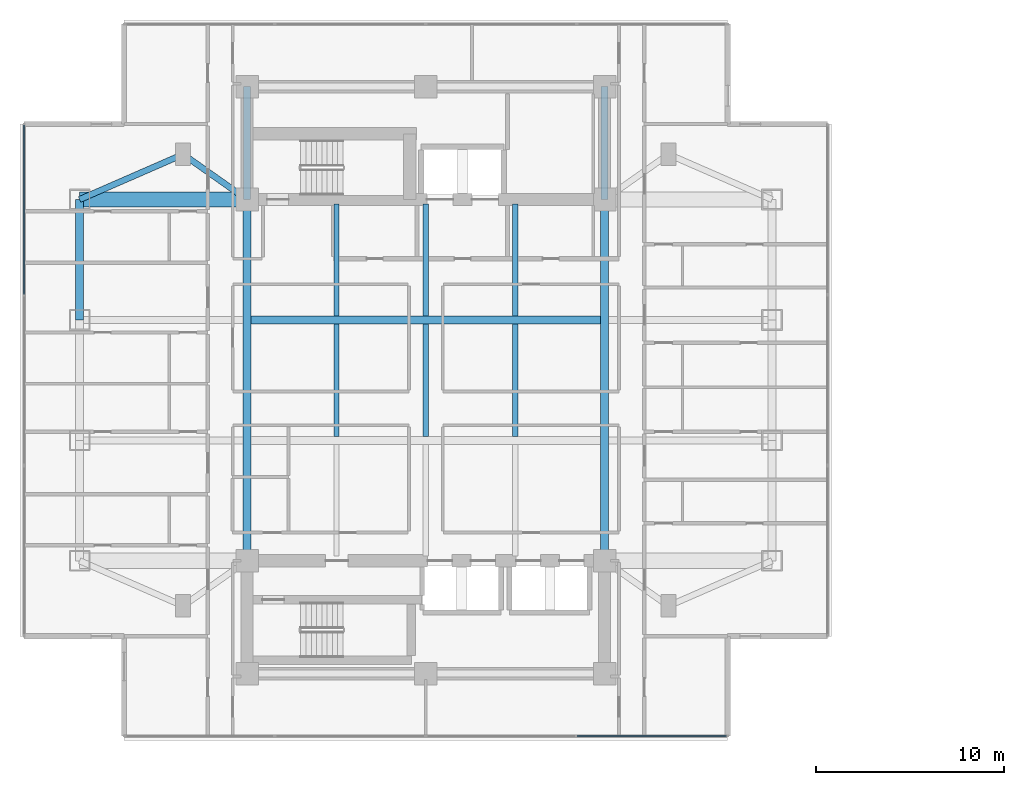
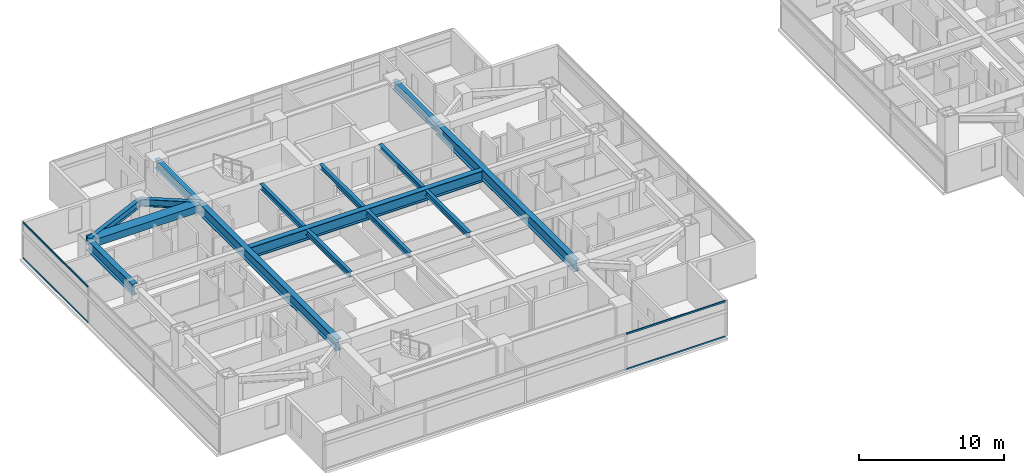
# One storey, part 3 of 24: 15 beams, 4 members, 2 elements without a shape of their own.
"""IFC4 building model written with IfcOpenShell, lengths in metres."""

from ifc_helpers import new_model, si_unit, direction, frame, origin, origin_2d, place, context, subcontext, project, spatial, rectangle, i_section, extrude, material, material_profile, profile_set, type_object, element, aggregate, save


model = new_model("IFC4")

# Units and contexts
model_context = context("Model", 3, precision=1e-05, world=origin(), true_north=direction((0.0, 1.0)))
body_context = subcontext(model_context, "Body", "Model", "MODEL_VIEW")
ifc_project = project(units=[si_unit("LENGTHUNIT", "METRE"), si_unit("AREAUNIT", "SQUARE_METRE"), si_unit("VOLUMEUNIT", "CUBIC_METRE"), si_unit("PLANEANGLEUNIT", "RADIAN"), si_unit("MASSUNIT", "GRAM", prefix="KILO")], contexts=[model_context])

# Site, building, storey
site_placement = place(None, origin())
site = spatial("IfcSite", under=ifc_project, at=site_placement, CompositionType="ELEMENT")
building_placement = place(site_placement, origin())
building = spatial("IfcBuilding", under=site, at=building_placement, Name="Mirazonda Arch Towers", CompositionType="ELEMENT")
storey_placement = place(building_placement, frame((0.0, 0.0, 101.60009765625)))
storey = spatial("IfcBuildingStorey", under=building, at=storey_placement, Name="L28", CompositionType="ELEMENT", Elevation=101.60009765625)

# Beams
ifc_material_1 = material(Name="Steel ASTM A992 Grade 50", Category="steel")
ifc_material_profile_1 = material_profile(ifc_material_1, i_section(OverallWidth=0.41796875, OverallDepth=0.927001953125, WebThickness=0.019287109375, FlangeThickness=0.031982421875, at=origin_2d()), Name="W36X231")
ifc_profile_set_1 = profile_set([ifc_material_profile_1], Name="Steel ASTM A992 Grade 50")
beam_type_1 = type_object("IfcBeamType", Name="BM-EXT-W36X231", PredefinedType="USERDEFINED", material=ifc_profile_set_1)
beam_1_placement = place(storey_placement, frame((2.10009765625, 31.199951171875, 2.616455078125), z_axis=(0.0, 1.0, 0.0), x_axis=(-1.0, 0.0, 0.0)))
element("IfcBeam", 1, at=beam_1_placement, inside=storey, type_object=beam_type_1, Name="L28 Floor Beam BM-T1-L28-NS-W-31", ObjectType="GIRDER", PredefinedType="USERDEFINED", context=body_context, shape_type="SweptSolid", body=[
    extrude(i_section(OverallWidth=0.41796875, OverallDepth=0.927001953125, WebThickness=0.019287109375, FlangeThickness=0.031982421875, at=origin_2d()), origin(), (0.0, 0.0, 1.0), 6.400146484375),
])
ifc_material_profile_2 = material_profile(ifc_material_1, i_section(OverallWidth=0.280029296875, OverallDepth=0.462890625, WebThickness=0.0107421875, FlangeThickness=0.017333984375, at=origin_2d()), Name="W18X76")
ifc_profile_set_2 = profile_set([ifc_material_profile_2], Name="Steel ASTM A992 Grade 50")
beam_type_2 = type_object("IfcBeamType", Name="BM-INT-W18X76", PredefinedType="JOIST", material=ifc_profile_set_2)
beam_2_placement = place(storey_placement, frame((15.75, 31.407470703125, 2.848388671875), z_axis=(0.0, 1.0, 0.0), x_axis=(-1.0, 0.0, 0.0)))
element("IfcBeam", 2, at=beam_2_placement, inside=storey, type_object=beam_type_2, Name="L28 Floor Beam BM-T1-L28-J-157-31", PredefinedType="JOIST", context=body_context, shape_type="SweptSolid", body=[
    extrude(i_section(OverallWidth=0.280029296875, OverallDepth=0.462890625, WebThickness=0.0107421875, FlangeThickness=0.017333984375, at=origin_2d()), origin(), (0.0, 0.0, 1.0), 5.95263671875),
])
beam_3_placement = place(storey_placement, frame((15.75, 25.007568359375, 2.848388671875), z_axis=(0.0, 1.0, 0.0), x_axis=(-1.0, 0.0, 0.0)))
element("IfcBeam", 3, at=beam_3_placement, inside=storey, type_object=beam_type_2, Name="L28 Floor Beam BM-T1-L28-J-157-24", PredefinedType="JOIST", context=body_context, shape_type="SweptSolid", body=[
    extrude(i_section(OverallWidth=0.280029296875, OverallDepth=0.462890625, WebThickness=0.0107421875, FlangeThickness=0.017333984375, at=origin_2d()), origin(), (0.0, 0.0, 1.0), 5.98486328125),
])
beam_4_placement = place(storey_placement, frame((20.5, 31.407470703125, 2.848388671875), z_axis=(0.0, 1.0, 0.0), x_axis=(-1.0, 0.0, 0.0)))
element("IfcBeam", 4, at=beam_4_placement, inside=storey, type_object=beam_type_2, Name="L28 Floor Beam BM-T1-L28-J-205-31", PredefinedType="JOIST", context=body_context, shape_type="SweptSolid", body=[
    extrude(i_section(OverallWidth=0.280029296875, OverallDepth=0.462890625, WebThickness=0.0107421875, FlangeThickness=0.017333984375, at=origin_2d()), origin(), (0.0, 0.0, 1.0), 5.95263671875),
])
beam_5_placement = place(storey_placement, frame((20.5, 25.007568359375, 2.848388671875), z_axis=(0.0, 1.0, 0.0), x_axis=(-1.0, 0.0, 0.0)))
element("IfcBeam", 5, at=beam_5_placement, inside=storey, type_object=beam_type_2, Name="L28 Floor Beam BM-T1-L28-J-205-24", PredefinedType="JOIST", context=body_context, shape_type="SweptSolid", body=[
    extrude(i_section(OverallWidth=0.280029296875, OverallDepth=0.462890625, WebThickness=0.0107421875, FlangeThickness=0.017333984375, at=origin_2d()), origin(), (0.0, 0.0, 1.0), 5.98486328125),
])
beam_6_placement = place(storey_placement, frame((25.25, 31.407470703125, 2.848388671875), z_axis=(0.0, 1.0, 0.0), x_axis=(-1.0, 0.0, 0.0)))
element("IfcBeam", 6, at=beam_6_placement, inside=storey, type_object=beam_type_2, Name="L28 Floor Beam BM-T1-L28-J-252-31", PredefinedType="JOIST", context=body_context, shape_type="SweptSolid", body=[
    extrude(i_section(OverallWidth=0.280029296875, OverallDepth=0.462890625, WebThickness=0.0107421875, FlangeThickness=0.017333984375, at=origin_2d()), origin(), (0.0, 0.0, 1.0), 5.95263671875),
])
beam_7_placement = place(storey_placement, frame((25.25, 25.007568359375, 2.848388671875), z_axis=(0.0, 1.0, 0.0), x_axis=(-1.0, 0.0, 0.0)))
element("IfcBeam", 7, at=beam_7_placement, inside=storey, type_object=beam_type_2, Name="L28 Floor Beam BM-T1-L28-J-252-24", PredefinedType="JOIST", context=body_context, shape_type="SweptSolid", body=[
    extrude(i_section(OverallWidth=0.280029296875, OverallDepth=0.462890625, WebThickness=0.0107421875, FlangeThickness=0.017333984375, at=origin_2d()), origin(), (0.0, 0.0, 1.0), 5.98486328125),
])
ifc_material_profile_3 = material_profile(ifc_material_1, i_section(OverallWidth=0.324951171875, OverallDepth=0.615966796875, WebThickness=0.013916015625, FlangeThickness=0.021484375, at=origin_2d()), Name="W24X117")
ifc_profile_set_3 = profile_set([ifc_material_profile_3], Name="Steel ASTM A992 Grade 50")
beam_type_3 = type_object("IfcBeamType", Name="BM-INT-W24X117", PredefinedType="BEAM", material=ifc_profile_set_3)
beam_8_placement = place(storey_placement, frame((7.60009765625, 40.0, 2.77197265625), z_axis=(0.816971114901, -0.576678591087, 0.0), x_axis=(0.576678591087, 0.816971114901, 0.0)))
element("IfcBeam", 8, at=beam_8_placement, inside=storey, type_object=beam_type_3, Name="L28 Floor Beam BM-T1-L28-PL-NW1", PredefinedType="BEAM", context=body_context, shape_type="SweptSolid", body=[
    extrude(i_section(OverallWidth=0.324951171875, OverallDepth=0.615966796875, WebThickness=0.013916015625, FlangeThickness=0.021484375, at=origin_2d()), origin(), (0.0, 0.0, 1.0), 4.16162109375),
])
beam_9_placement = place(storey_placement, frame((7.60009765625, 40.0, 2.77197265625), z_axis=(-0.916545343703, -0.399930785183, 0.0), x_axis=(0.399930785183, -0.916545343703, 0.0)))
element("IfcBeam", 9, at=beam_9_placement, inside=storey, type_object=beam_type_3, Name="L28 Floor Beam BM-T1-L28-PL-NW2", PredefinedType="BEAM", context=body_context, shape_type="SweptSolid", body=[
    extrude(i_section(OverallWidth=0.324951171875, OverallDepth=0.615966796875, WebThickness=0.013916015625, FlangeThickness=0.021484375, at=origin_2d()), origin(), (0.0, 0.0, 1.0), 6.000732421875),
])
ifc_material_profile_4 = material_profile(ifc_material_1, i_section(OverallWidth=0.381103515625, OverallDepth=0.77294921875, WebThickness=0.0166015625, FlangeThickness=0.027099609375, at=origin_2d()), Name="W30X173")
ifc_profile_set_4 = profile_set([ifc_material_profile_4], Name="Steel ASTM A992 Grade 50")
beam_type_4 = type_object("IfcBeamType", Name="BM-INT-W30X173", PredefinedType="USERDEFINED", material=ifc_profile_set_4)
for number, where, z_axis, x_axis, name in (
    (10, (11.0, 37.60009765625, 2.693359375), (0.0, 1.0, 0.0), (-1.0, 0.0, 0.0), "L28 Floor Beam BM-T1-L28-CNW"),
    (11, (30.0, 37.60009765625, 2.693359375), (0.0, 1.0, 0.0), (-1.0, 0.0, 0.0), "L28 Floor Beam BM-T1-L28-CNE"),
):
    element("IfcBeam", number, at=place(storey_placement, frame(where, z_axis=z_axis, x_axis=x_axis)), inside=storey, type_object=beam_type_4, Name=name, ObjectType="GIRDER", PredefinedType="USERDEFINED", context=body_context, shape_type="SweptSolid", body=[
        extrude(i_section(OverallWidth=0.381103515625, OverallDepth=0.77294921875, WebThickness=0.0166015625, FlangeThickness=0.027099609375, at=origin_2d()), origin(), (0.0, 0.0, 1.0), 6.0),
    ])
ifc_material_profile_5 = material_profile(ifc_material_1, i_section(OverallWidth=0.423095703125, OverallDepth=0.947998046875, WebThickness=0.02392578125, FlangeThickness=0.042724609375, at=origin_2d()), Name="W36X302")
ifc_profile_set_5 = profile_set([ifc_material_profile_5], Name="Steel ASTM A992 Grade 50")
beam_type_5 = type_object("IfcBeamType", Name="BM-INT-W36X302", PredefinedType="USERDEFINED", material=ifc_profile_set_5)
beam_10_placement = place(storey_placement, frame((11.21142578125, 31.199951171875, 2.60595703125), z_axis=(1.0, 0.0, 0.0), x_axis=(0.0, 1.0, 0.0)))
element("IfcBeam", 12, at=beam_10_placement, inside=storey, type_object=beam_type_5, Name="L28 Floor Beam BM-T1-L28-GC3", ObjectType="GIRDER", PredefinedType="USERDEFINED", context=body_context, shape_type="SweptSolid", body=[
    extrude(i_section(OverallWidth=0.423095703125, OverallDepth=0.947998046875, WebThickness=0.02392578125, FlangeThickness=0.042724609375, at=origin_2d()), origin(), (0.0, 0.0, 1.0), 18.5771484375),
])
for number, where, z_axis, x_axis, name in (
    (13, (11.0, 18.39990234375, 2.60595703125), (0.0, 1.0, 0.0), (-1.0, 0.0, 0.0), "L28 Floor Beam BM-T1-L28-NS-CW-FULL"),
    (14, (30.0, 18.39990234375, 2.60595703125), (0.0, 1.0, 0.0), (-1.0, 0.0, 0.0), "L28 Floor Beam BM-T1-L28-NS-CE-FULL"),
):
    element("IfcBeam", number, at=place(storey_placement, frame(where, z_axis=z_axis, x_axis=x_axis)), inside=storey, type_object=beam_type_5, Name=name, ObjectType="GIRDER", PredefinedType="USERDEFINED", context=body_context, shape_type="SweptSolid", body=[
        extrude(i_section(OverallWidth=0.423095703125, OverallDepth=0.947998046875, WebThickness=0.02392578125, FlangeThickness=0.042724609375, at=origin_2d()), origin(), (0.0, 0.0, 1.0), 19.2001953125),
    ])
ifc_material_2 = material(Name="Concrete C60/75", Category="concrete")
ifc_material_profile_6 = material_profile(ifc_material_2, rectangle(XDim=0.800048828125, YDim=0.60009765625, at=origin_2d()), Name="RCCB800x600")
ifc_profile_set_6 = profile_set([ifc_material_profile_6], Name="Concrete C60/75")
beam_type_6 = type_object("IfcBeamType", Name="CB-INT-RCCB800x600", PredefinedType="SPANDREL", material=ifc_profile_set_6)
beam_11_placement = place(storey_placement, frame((2.10009765625, 37.60009765625, 2.77978515625), z_axis=(1.0, 0.0, 0.0), x_axis=(0.0, 1.0, 0.0)))
element("IfcBeam", 15, at=beam_11_placement, inside=storey, type_object=beam_type_6, Name="L28 Floor Beam CBC-T1-L28-NW", PredefinedType="SPANDREL", context=body_context, shape_type="SweptSolid", body=[
    extrude(rectangle(XDim=0.800048828125, YDim=0.60009765625, at=origin_2d()), origin(), (0.0, 0.0, 1.0), 8.89990234375),
])

# Curtain wall, members
ifc_material_3 = material(Name="Anodised Aluminium and Low-E Glass", Category="aluminium")
curtain_wall_type = type_object("IfcCurtainWallType", Name="CW-HTL-UNIT", PredefinedType="NOTDEFINED", material=ifc_material_3)
curtain_wall_1_placement = place(storey_placement, origin())
curtain_wall_1 = element("IfcCurtainWall", 16, at=curtain_wall_1_placement, inside=storey, type_object=curtain_wall_type, Name="L28 T1 S Facade CW-L28-T1-S", PredefinedType="NOTDEFINED")
ifc_material_4 = material(Name="Anodised Aluminium Alloy", Category="aluminium")
ifc_material_profile_7 = material_profile(ifc_material_4, rectangle(XDim=0.074951171875, YDim=0.14501953125, at=origin_2d()), Name="ALU-TRAN-75x145")
ifc_profile_set_7 = profile_set([ifc_material_profile_7], Name="Anodised Aluminium Alloy")
member_type = type_object("IfcMemberType", Name="TRAN-CW-HTL-UNIT", PredefinedType="USERDEFINED", material=ifc_profile_set_7)
member_1_placement = place(storey_placement, frame((36.469970703125, 9.077880859375, 0.037353515625), z_axis=(-1.0, 0.0, 0.0), x_axis=(0.0, -1.0, 0.0)))
member_1 = element("IfcMember", 17, at=member_1_placement, type_object=member_type, Name="CW-112 transom 1.1", ObjectType="TRANSOM", PredefinedType="USERDEFINED", context=body_context, shape_type="SweptSolid", body=[
    extrude(rectangle(XDim=0.074951171875, YDim=0.14501953125, at=origin_2d()), origin(), (0.0, 0.0, 1.0), 7.909912109375),
])
member_2_placement = place(storey_placement, frame((36.469970703125, 9.077880859375, 3.0224609375), z_axis=(-1.0, 0.0, 0.0), x_axis=(0.0, -1.0, 0.0)))
member_2 = element("IfcMember", 18, at=member_2_placement, type_object=member_type, Name="CW-112 transom 1.2", ObjectType="TRANSOM", PredefinedType="USERDEFINED", context=body_context, shape_type="SweptSolid", body=[
    extrude(rectangle(XDim=0.074951171875, YDim=0.14501953125, at=origin_2d()), origin(), (0.0, 0.0, 1.0), 7.909912109375),
])
aggregate(curtain_wall_1, [member_1, member_2])

curtain_wall_2_placement = place(storey_placement, origin())
curtain_wall_2 = element("IfcCurtainWall", 19, at=curtain_wall_2_placement, inside=storey, type_object=curtain_wall_type, Name="L28 T1 W Facade CW-L28-T1-W", PredefinedType="NOTDEFINED")
member_3_placement = place(storey_placement, frame((-0.85009765625, 41.5419921875, 0.037353515625), z_axis=(0.0, -1.0, 0.0), x_axis=(1.0, 0.0, 0.0)))
member_3 = element("IfcMember", 20, at=member_3_placement, type_object=member_type, Name="CW-112 transom 1.1", ObjectType="TRANSOM", PredefinedType="USERDEFINED", context=body_context, shape_type="SweptSolid", body=[
    extrude(rectangle(XDim=0.074951171875, YDim=0.14501953125, at=origin_2d()), origin(), (0.0, 0.0, 1.0), 8.965576171875),
])
member_4_placement = place(storey_placement, frame((-0.85009765625, 41.5419921875, 3.0224609375), z_axis=(0.0, -1.0, 0.0), x_axis=(1.0, 0.0, 0.0)))
member_4 = element("IfcMember", 21, at=member_4_placement, type_object=member_type, Name="CW-112 transom 1.2", ObjectType="TRANSOM", PredefinedType="USERDEFINED", context=body_context, shape_type="SweptSolid", body=[
    extrude(rectangle(XDim=0.074951171875, YDim=0.14501953125, at=origin_2d()), origin(), (0.0, 0.0, 1.0), 8.965576171875),
])
aggregate(curtain_wall_2, [member_3, member_4])

save(model, "model.ifc")
